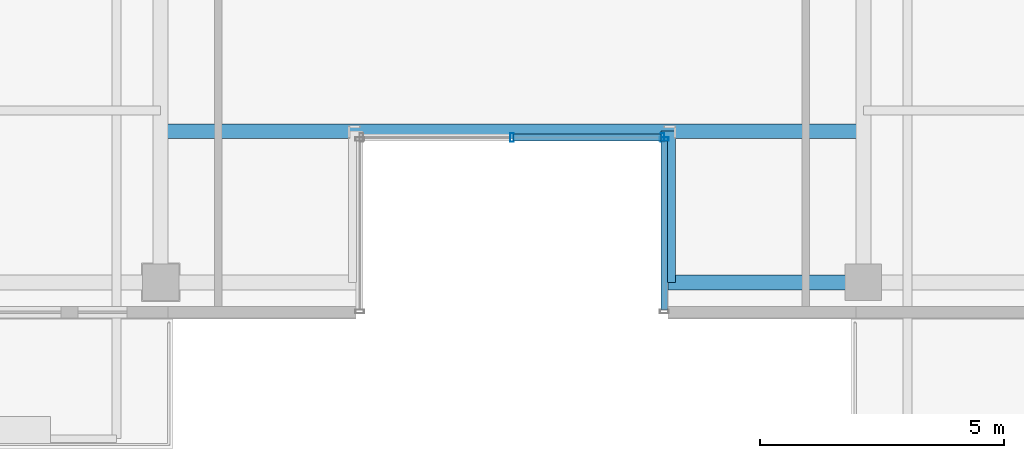
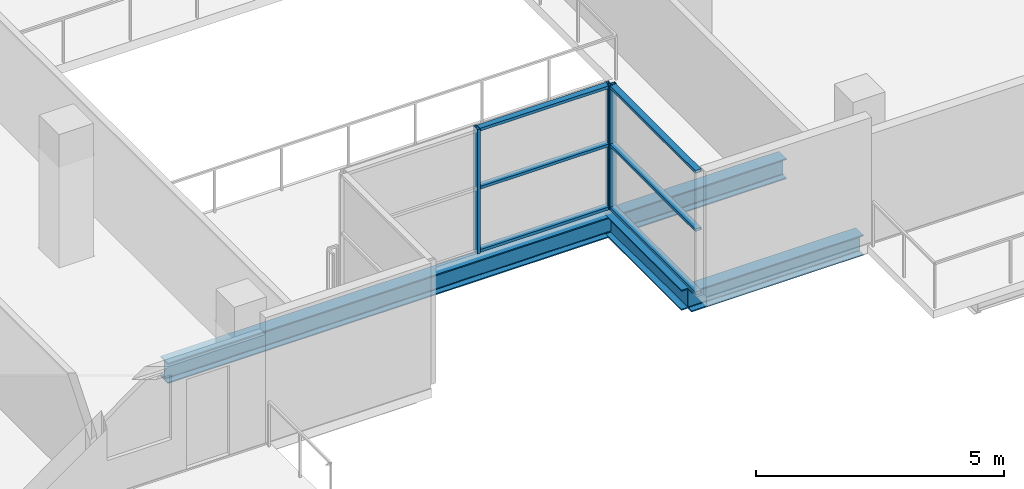
# One storey, part 3 of 22: 9 members, 3 beams, 2 elements without a shape of their own.
"""IFC4 building model written with IfcOpenShell, lengths in metres."""

from ifc_helpers import new_model, si_unit, direction, frame, origin, origin_2d, place, context, subcontext, project, spatial, hollow_rectangle, i_section, extrude, source, transform, mapped, material, layer, layer_set, material_profile, profile_set, type_object, element, aggregate, save


model = new_model("IFC4")

# Units and contexts
model_context = context("Model", 3, precision=1e-05, world=origin(), true_north=direction((0.0, 1.0)))
body_context = subcontext(model_context, "Body", "Model", "MODEL_VIEW")
ifc_project = project(units=[si_unit("LENGTHUNIT", "METRE"), si_unit("AREAUNIT", "SQUARE_METRE"), si_unit("VOLUMEUNIT", "CUBIC_METRE"), si_unit("PLANEANGLEUNIT", "RADIAN"), si_unit("MASSUNIT", "GRAM", prefix="KILO")], contexts=[model_context])

# Site, building, storey
site_placement = place(None, origin())
site = spatial("IfcSite", under=ifc_project, at=site_placement, CompositionType="ELEMENT")
building_placement = place(site_placement, origin())
building = spatial("IfcBuilding", under=site, at=building_placement, Name="Zarnakvel Exchange Tower", CompositionType="ELEMENT")
storey_placement = place(building_placement, frame((0.0, 0.0, 179.199951171875)))
storey = spatial("IfcBuildingStorey", under=building, at=storey_placement, Name="L50", CompositionType="ELEMENT", Elevation=179.199951171875)

# Beams
ifc_material_1 = material(Name="Steel S355", Category="steel")
ifc_material_profile_1 = material_profile(ifc_material_1, i_section(OverallWidth=0.300048828125, OverallDepth=0.5, WebThickness=0.014404296875, FlangeThickness=0.028076171875, FilletRadius=0.027099609375, at=origin_2d()))
ifc_profile_set_1 = profile_set([ifc_material_profile_1], Name="Steel S355")
beam_type_1 = type_object("IfcBeamType", Name="G-06", PredefinedType="BEAM", material=ifc_profile_set_1)
beam_1_placement = place(storey_placement, frame((3.199951171875, -16.64990234375, -0.474853515625), z_axis=(0.0, 1.0, 0.0), x_axis=(-1.0, 0.0, 0.0)))
element("IfcBeam", 1, at=beam_1_placement, inside=storey, type_object=beam_type_1, Name="L50 South Slot East Cheek Beam", PredefinedType="BEAM", context=body_context, shape_type="SweptSolid", body=[
    extrude(i_section(OverallWidth=0.300048828125, OverallDepth=0.5, WebThickness=0.014404296875, FlangeThickness=0.028076171875, FilletRadius=0.027099609375, at=origin_2d()), origin(), (0.0, 0.0, 1.0), 3.099853515625),
])
ifc_material_profile_2 = material_profile(ifc_material_1, i_section(OverallWidth=0.300048828125, OverallDepth=0.5, WebThickness=0.014404296875, FlangeThickness=0.028076171875, FilletRadius=0.027099609375, at=origin_2d()))
ifc_profile_set_2 = profile_set([ifc_material_profile_2], Name="Steel S355")
beam_type_2 = type_object("IfcBeamType", Name="SP-02", PredefinedType="SPANDREL", material=ifc_profile_set_2)
beam_2_placement = place(storey_placement, frame((3.199951171875, -16.64990234375, -0.474853515625), z_axis=(1.0, 0.0, 0.0), x_axis=(0.0, 1.0, 0.0)))
element("IfcBeam", 2, at=beam_2_placement, inside=storey, type_object=beam_type_2, Name="L50 South Slot East Jamb Spandrel", PredefinedType="SPANDREL", context=body_context, shape_type="SweptSolid", body=[
    extrude(i_section(OverallWidth=0.300048828125, OverallDepth=0.5, WebThickness=0.014404296875, FlangeThickness=0.028076171875, FilletRadius=0.027099609375, at=origin_2d()), origin(), (0.0, 0.0, 1.0), 4.0),
])
beam_3_placement = place(storey_placement, frame((-7.199951171875, -13.550048828125, -0.474853515625), z_axis=(1.0, 0.0, 0.0), x_axis=(0.0, 1.0, 0.0)))
element("IfcBeam", 3, at=beam_3_placement, inside=storey, type_object=beam_type_2, Name="L50 South Slot Head Trimmer Girder", PredefinedType="SPANDREL", context=body_context, shape_type="SweptSolid", body=[
    extrude(i_section(OverallWidth=0.300048828125, OverallDepth=0.5, WebThickness=0.014404296875, FlangeThickness=0.028076171875, FilletRadius=0.027099609375, at=origin_2d()), origin(), (0.0, 0.0, 1.0), 14.39990234375),
])

# Curtain wall, members
ifc_material_2 = material(Name="Architectural Bronze Anodised Aluminium", Category="aluminium")
ifc_layer = layer(ifc_material_2, 0.179931640625)
ifc_layer_set = layer_set([ifc_layer], Name="Architectural Bronze Anodised Aluminium")
curtain_wall_type = type_object("IfcCurtainWallType", Name="CW-05", PredefinedType="NOTDEFINED", material=ifc_layer_set)
curtain_wall_1_placement = place(storey_placement, origin())
curtain_wall_1 = element("IfcCurtainWall", 4, at=curtain_wall_1_placement, inside=storey, type_object=curtain_wall_type, Name="L50 Curtain Wall CW-L50-SLE (CW-05)", PredefinedType="NOTDEFINED")
ifc_material_profile_3 = material_profile(ifc_material_2, hollow_rectangle(XDim=0.139892578125, YDim=0.070068359375, WallThickness=0.00390625, at=origin_2d()))
ifc_profile_set_3 = profile_set([ifc_material_profile_3], Name="Architectural Bronze Anodised Aluminium")
member_type_1 = type_object("IfcMemberType", Name="CWT-05", PredefinedType="USERDEFINED", material=ifc_profile_set_3)
shared_shape_1 = source(origin(), body_context, "Body", "SweptSolid", [
    extrude(hollow_rectangle(XDim=0.139892578125, YDim=0.070068359375, WallThickness=0.00390625, at=origin_2d()), origin(), (0.0, 0.0, 1.0), 3.4599609375),
])
member_1_placement = place(storey_placement, frame((3.1201171875, -13.75, 0.03515625), z_axis=(0.0, -1.0, 0.0), x_axis=(1.0, 0.0, 0.0)))
member_1 = element("IfcMember", 5, at=member_1_placement, type_object=member_type_1, Name="CW-05 transom 1.1", ObjectType="TRANSOM", PredefinedType="USERDEFINED", context=body_context, shape_type="MappedRepresentation", body=[
    mapped(shared_shape_1, transform((0.0, 0.0, 0.0), x_axis=(1.0, 0.0, 0.0), y_axis=(0.0, 1.0, 0.0), z_axis=(0.0, 0.0, 1.0), scale=1.0)),
])
member_2_placement = place(storey_placement, frame((3.1201171875, -13.75, 1.588623046875), z_axis=(0.0, -1.0, 0.0), x_axis=(1.0, 0.0, 0.0)))
member_2 = element("IfcMember", 6, at=member_2_placement, type_object=member_type_1, Name="CW-05 transom 1.2", ObjectType="TRANSOM", PredefinedType="USERDEFINED", context=body_context, shape_type="MappedRepresentation", body=[
    mapped(shared_shape_1, transform((0.0, 0.0, 0.0), x_axis=(1.0, 0.0, 0.0), y_axis=(0.0, 1.0, 0.0), z_axis=(0.0, 0.0, 1.0), scale=1.0)),
])
member_3_placement = place(storey_placement, frame((3.1201171875, -13.75, 3.02001953125), z_axis=(0.0, -1.0, 0.0), x_axis=(1.0, 0.0, 0.0)))
member_3 = element("IfcMember", 7, at=member_3_placement, type_object=member_type_1, Name="CW-05 transom 1.3", ObjectType="TRANSOM", PredefinedType="USERDEFINED", context=body_context, shape_type="MappedRepresentation", body=[
    mapped(shared_shape_1, transform((0.0, 0.0, 0.0), x_axis=(1.0, 0.0, 0.0), y_axis=(0.0, 1.0, 0.0), z_axis=(0.0, 0.0, 1.0), scale=1.0)),
])

curtain_wall_2_placement = place(storey_placement, origin())
curtain_wall_2 = element("IfcCurtainWall", 8, at=curtain_wall_2_placement, inside=storey, type_object=curtain_wall_type, Name="L50 Curtain Wall CW-L50-SLB (CW-05)", PredefinedType="NOTDEFINED")
shared_shape_2 = source(origin(), body_context, "Body", "SweptSolid", [
    extrude(hollow_rectangle(XDim=0.139892578125, YDim=0.070068359375, WallThickness=0.00390625, at=origin_2d()), origin(), (0.0, 0.0, 1.0), 3.01513671875),
])
member_4_placement = place(storey_placement, frame((0.034912109375, -13.679931640625, 0.03515625), z_axis=(1.0, 0.0, 0.0), x_axis=(0.0, 1.0, 0.0)))
member_4 = element("IfcMember", 9, at=member_4_placement, type_object=member_type_1, Name="CW-05 transom 2.1", ObjectType="TRANSOM", PredefinedType="USERDEFINED", context=body_context, shape_type="MappedRepresentation", body=[
    mapped(shared_shape_2, transform((0.0, 0.0, 0.0), x_axis=(1.0, 0.0, 0.0), y_axis=(0.0, 1.0, 0.0), z_axis=(0.0, 0.0, 1.0), scale=1.0)),
])
member_5_placement = place(storey_placement, frame((0.034912109375, -13.679931640625, 1.588623046875), z_axis=(1.0, 0.0, 0.0), x_axis=(0.0, 1.0, 0.0)))
member_5 = element("IfcMember", 10, at=member_5_placement, type_object=member_type_1, Name="CW-05 transom 2.2", ObjectType="TRANSOM", PredefinedType="USERDEFINED", context=body_context, shape_type="MappedRepresentation", body=[
    mapped(shared_shape_2, transform((0.0, 0.0, 0.0), x_axis=(1.0, 0.0, 0.0), y_axis=(0.0, 1.0, 0.0), z_axis=(0.0, 0.0, 1.0), scale=1.0)),
])
member_6_placement = place(storey_placement, frame((0.034912109375, -13.679931640625, 3.02001953125), z_axis=(1.0, 0.0, 0.0), x_axis=(0.0, 1.0, 0.0)))
member_6 = element("IfcMember", 11, at=member_6_placement, type_object=member_type_1, Name="CW-05 transom 2.3", ObjectType="TRANSOM", PredefinedType="USERDEFINED", context=body_context, shape_type="MappedRepresentation", body=[
    mapped(shared_shape_2, transform((0.0, 0.0, 0.0), x_axis=(1.0, 0.0, 0.0), y_axis=(0.0, 1.0, 0.0), z_axis=(0.0, 0.0, 1.0), scale=1.0)),
])
ifc_material_profile_4 = material_profile(ifc_material_2, hollow_rectangle(XDim=0.179931640625, YDim=0.070068359375, WallThickness=0.00390625, at=origin_2d()))
ifc_profile_set_4 = profile_set([ifc_material_profile_4], Name="Architectural Bronze Anodised Aluminium")
member_type_2 = type_object("IfcMemberType", Name="CWM-05", PredefinedType="MULLION", material=ifc_profile_set_4)
shared_shape_3 = source(origin(), body_context, "Body", "SweptSolid", [
    extrude(hollow_rectangle(XDim=0.179931640625, YDim=0.070068359375, WallThickness=0.00390625, at=origin_2d()), origin(), (0.0, 0.0, 1.0), 3.054931640625),
])
member_7_placement = place(storey_placement, frame((0.0, -13.679931640625, 0.0), z_axis=(0.0, 0.0, 1.0), x_axis=(0.0, 1.0, 0.0)))
member_7 = element("IfcMember", 12, at=member_7_placement, type_object=member_type_2, Name="CW-05 mullion 2", PredefinedType="MULLION", context=body_context, shape_type="MappedRepresentation", body=[
    mapped(shared_shape_3, transform((0.0, 0.0, 0.0), x_axis=(1.0, 0.0, 0.0), y_axis=(0.0, 1.0, 0.0), z_axis=(0.0, 0.0, 1.0), scale=1.0)),
])
member_8_placement = place(storey_placement, frame((3.0849609375, -13.679931640625, 0.0), z_axis=(0.0, 0.0, 1.0), x_axis=(0.0, 1.0, 0.0)))
member_8 = element("IfcMember", 13, at=member_8_placement, type_object=member_type_2, Name="CW-05 mullion 3", PredefinedType="MULLION", context=body_context, shape_type="MappedRepresentation", body=[
    mapped(shared_shape_3, transform((0.0, 0.0, 0.0), x_axis=(1.0, 0.0, 0.0), y_axis=(0.0, 1.0, 0.0), z_axis=(0.0, 0.0, 1.0), scale=1.0)),
])
aggregate(curtain_wall_2, [member_7, member_8, member_4, member_5, member_6])

# Member
member_9_placement = place(storey_placement, frame((3.1201171875, -13.715087890625, 0.0), z_axis=(0.0, 0.0, 1.0), x_axis=(1.0, 0.0, 0.0)))
member_9 = element("IfcMember", 14, at=member_9_placement, type_object=member_type_2, Name="CW-05 mullion 1", PredefinedType="MULLION", context=body_context, shape_type="MappedRepresentation", body=[
    mapped(shared_shape_3, transform((0.0, 0.0, 0.0), x_axis=(1.0, 0.0, 0.0), y_axis=(0.0, 1.0, 0.0), z_axis=(0.0, 0.0, 1.0), scale=1.0)),
])

aggregate(curtain_wall_1, [member_9, member_1, member_2, member_3])

save(model, "model.ifc")
